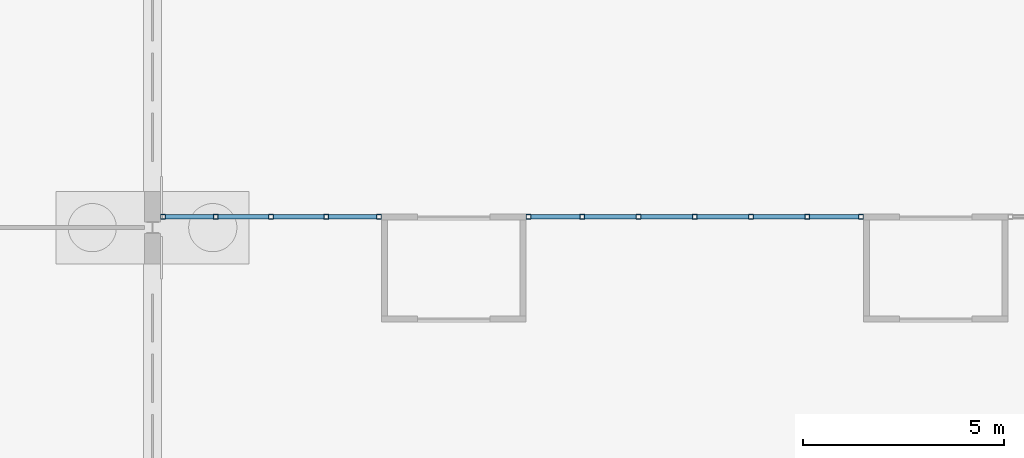
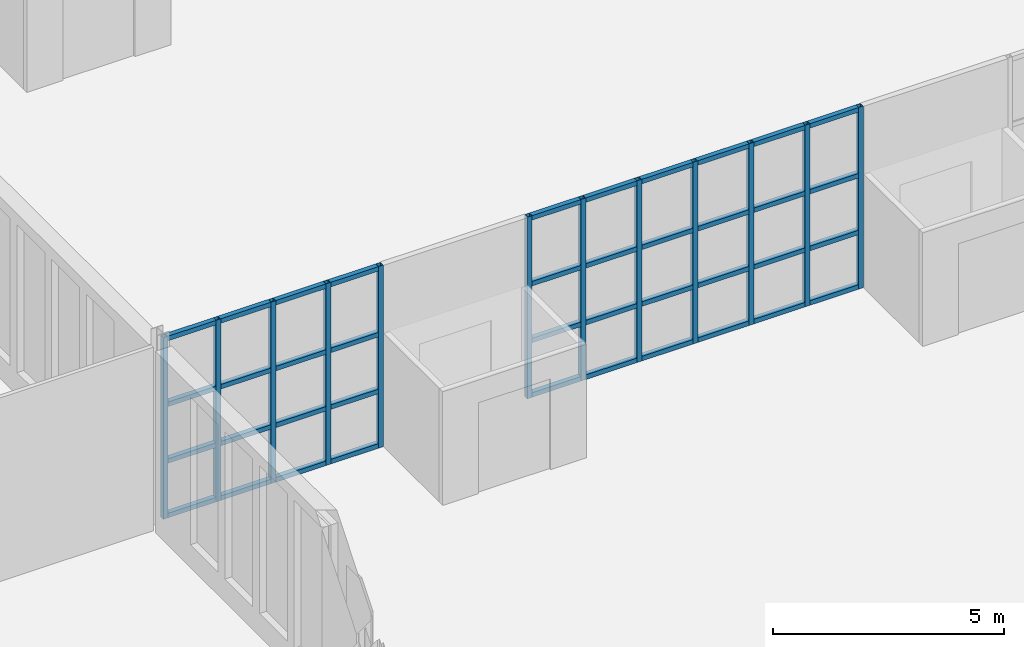
# One storey, part 56 of 168: 52 members, 2 elements without a shape of their own.
"""IFC4 building model written with IfcOpenShell, lengths in metres."""

from ifc_helpers import new_model, si_unit, direction, frame, origin, origin_2d, place, context, subcontext, project, spatial, hollow_rectangle, extrude, material, material_profile, profile_set, type_object, element, aggregate, save


model = new_model("IFC4")

# Units and contexts
model_context = context("Model", 3, precision=1e-05, world=origin(), true_north=direction((0.0, 1.0)))
body_context = subcontext(model_context, "Body", "Model", "MODEL_VIEW")
ifc_project = project(units=[si_unit("LENGTHUNIT", "METRE"), si_unit("AREAUNIT", "SQUARE_METRE"), si_unit("VOLUMEUNIT", "CUBIC_METRE"), si_unit("PLANEANGLEUNIT", "RADIAN"), si_unit("MASSUNIT", "GRAM", prefix="KILO")], contexts=[model_context])

# Site, building, storey
site_placement = place(None, origin())
site = spatial("IfcSite", under=ifc_project, at=site_placement, CompositionType="ELEMENT")
building_placement = place(site_placement, origin())
building = spatial("IfcBuilding", under=site, at=building_placement, Name="Golden Quay Civic Hall", CompositionType="ELEMENT")
storey_placement = place(building_placement, origin())
storey = spatial("IfcBuildingStorey", under=building, at=storey_placement, Name="L00", CompositionType="ELEMENT", Elevation=0.0)

# Curtain wall, members
ifc_material_1 = material(Name="Fire-resisting glass and steel", Category="steel")
curtain_wall_type = type_object("IfcCurtainWallType", Name="Fire-resisting glazed curtain wall EI 120", PredefinedType="NOTDEFINED", material=ifc_material_1)
curtain_wall_1_placement = place(storey_placement, origin())
curtain_wall_1 = element("IfcCurtainWall", 1, at=curtain_wall_1_placement, inside=storey, type_object=curtain_wall_type, Name="CW3 curtain wall", PredefinedType="NOTDEFINED")
ifc_material_2 = material(Name="Steel S355", Category="steel")
ifc_material_profile_1 = material_profile(ifc_material_2, hollow_rectangle(XDim=0.1201171875, YDim=0.1201171875, WallThickness=0.008056640625, at=origin_2d()), Name="SHS 120x120x8")
ifc_profile_set_1 = profile_set([ifc_material_profile_1], Name="Steel S355")
member_type_1 = type_object("IfcMemberType", Name="Fire-resisting steel mullion SHS 120x120x8", PredefinedType="MULLION", material=ifc_profile_set_1)
member_1_placement = place(storey_placement, frame((72.260009765625, 36.27001953125, 0.0), z_axis=(0.0, 0.0, 1.0), x_axis=(0.0, 1.0, 0.0)))
member_1 = element("IfcMember", 2, at=member_1_placement, type_object=member_type_1, Name="CW3 mullion 1", PredefinedType="MULLION", context=body_context, shape_type="SweptSolid", body=[
    extrude(hollow_rectangle(XDim=0.1201171875, YDim=0.1201171875, WallThickness=0.008056640625, at=origin_2d()), origin(), (0.0, 0.0, 1.0), 4.800048828125),
])
member_2_placement = place(storey_placement, frame((73.574951171875, 36.27001953125, 0.0), z_axis=(0.0, 0.0, 1.0), x_axis=(0.0, 1.0, 0.0)))
member_2 = element("IfcMember", 3, at=member_2_placement, type_object=member_type_1, Name="CW3 mullion 2", PredefinedType="MULLION", context=body_context, shape_type="SweptSolid", body=[
    extrude(hollow_rectangle(XDim=0.1201171875, YDim=0.1201171875, WallThickness=0.008056640625, at=origin_2d()), origin(), (0.0, 0.0, 1.0), 4.800048828125),
])
member_3_placement = place(storey_placement, frame((74.949951171875, 36.27001953125, 0.0), z_axis=(0.0, 0.0, 1.0), x_axis=(0.0, 1.0, 0.0)))
member_3 = element("IfcMember", 4, at=member_3_placement, type_object=member_type_1, Name="CW3 mullion 3", PredefinedType="MULLION", context=body_context, shape_type="SweptSolid", body=[
    extrude(hollow_rectangle(XDim=0.1201171875, YDim=0.1201171875, WallThickness=0.008056640625, at=origin_2d()), origin(), (0.0, 0.0, 1.0), 4.800048828125),
])
member_4_placement = place(storey_placement, frame((76.324951171875, 36.27001953125, 0.0), z_axis=(0.0, 0.0, 1.0), x_axis=(0.0, 1.0, 0.0)))
member_4 = element("IfcMember", 5, at=member_4_placement, type_object=member_type_1, Name="CW3 mullion 4", PredefinedType="MULLION", context=body_context, shape_type="SweptSolid", body=[
    extrude(hollow_rectangle(XDim=0.1201171875, YDim=0.1201171875, WallThickness=0.008056640625, at=origin_2d()), origin(), (0.0, 0.0, 1.0), 4.800048828125),
])
member_5_placement = place(storey_placement, frame((77.639892578125, 36.27001953125, 0.0), z_axis=(0.0, 0.0, 1.0), x_axis=(0.0, 1.0, 0.0)))
member_5 = element("IfcMember", 6, at=member_5_placement, type_object=member_type_1, Name="CW3 mullion 5", PredefinedType="MULLION", context=body_context, shape_type="SweptSolid", body=[
    extrude(hollow_rectangle(XDim=0.1201171875, YDim=0.1201171875, WallThickness=0.008056640625, at=origin_2d()), origin(), (0.0, 0.0, 1.0), 4.800048828125),
])

curtain_wall_2_placement = place(storey_placement, origin())
curtain_wall_2 = element("IfcCurtainWall", 7, at=curtain_wall_2_placement, inside=storey, type_object=curtain_wall_type, Name="CW3 curtain wall", PredefinedType="NOTDEFINED")
member_6_placement = place(storey_placement, frame((81.360107421875, 36.27001953125, 0.0), z_axis=(0.0, 0.0, 1.0), x_axis=(0.0, 1.0, 0.0)))
member_6 = element("IfcMember", 8, at=member_6_placement, type_object=member_type_1, Name="CW3 mullion 1", PredefinedType="MULLION", context=body_context, shape_type="SweptSolid", body=[
    extrude(hollow_rectangle(XDim=0.1201171875, YDim=0.1201171875, WallThickness=0.008056640625, at=origin_2d()), origin(), (0.0, 0.0, 1.0), 4.800048828125),
])
member_7_placement = place(storey_placement, frame((82.699951171875, 36.27001953125, 0.0), z_axis=(0.0, 0.0, 1.0), x_axis=(0.0, 1.0, 0.0)))
member_7 = element("IfcMember", 9, at=member_7_placement, type_object=member_type_1, Name="CW3 mullion 2", PredefinedType="MULLION", context=body_context, shape_type="SweptSolid", body=[
    extrude(hollow_rectangle(XDim=0.1201171875, YDim=0.1201171875, WallThickness=0.008056640625, at=origin_2d()), origin(), (0.0, 0.0, 1.0), 4.800048828125),
])
member_8_placement = place(storey_placement, frame((84.10009765625, 36.27001953125, 0.0), z_axis=(0.0, 0.0, 1.0), x_axis=(0.0, 1.0, 0.0)))
member_8 = element("IfcMember", 10, at=member_8_placement, type_object=member_type_1, Name="CW3 mullion 3", PredefinedType="MULLION", context=body_context, shape_type="SweptSolid", body=[
    extrude(hollow_rectangle(XDim=0.1201171875, YDim=0.1201171875, WallThickness=0.008056640625, at=origin_2d()), origin(), (0.0, 0.0, 1.0), 4.800048828125),
])
member_9_placement = place(storey_placement, frame((85.5, 36.27001953125, 0.0), z_axis=(0.0, 0.0, 1.0), x_axis=(0.0, 1.0, 0.0)))
member_9 = element("IfcMember", 11, at=member_9_placement, type_object=member_type_1, Name="CW3 mullion 4", PredefinedType="MULLION", context=body_context, shape_type="SweptSolid", body=[
    extrude(hollow_rectangle(XDim=0.1201171875, YDim=0.1201171875, WallThickness=0.008056640625, at=origin_2d()), origin(), (0.0, 0.0, 1.0), 4.800048828125),
])
member_10_placement = place(storey_placement, frame((86.89990234375, 36.27001953125, 0.0), z_axis=(0.0, 0.0, 1.0), x_axis=(0.0, 1.0, 0.0)))
member_10 = element("IfcMember", 12, at=member_10_placement, type_object=member_type_1, Name="CW3 mullion 5", PredefinedType="MULLION", context=body_context, shape_type="SweptSolid", body=[
    extrude(hollow_rectangle(XDim=0.1201171875, YDim=0.1201171875, WallThickness=0.008056640625, at=origin_2d()), origin(), (0.0, 0.0, 1.0), 4.800048828125),
])
member_11_placement = place(storey_placement, frame((88.300048828125, 36.27001953125, 0.0), z_axis=(0.0, 0.0, 1.0), x_axis=(0.0, 1.0, 0.0)))
member_11 = element("IfcMember", 13, at=member_11_placement, type_object=member_type_1, Name="CW3 mullion 6", PredefinedType="MULLION", context=body_context, shape_type="SweptSolid", body=[
    extrude(hollow_rectangle(XDim=0.1201171875, YDim=0.1201171875, WallThickness=0.008056640625, at=origin_2d()), origin(), (0.0, 0.0, 1.0), 4.800048828125),
])
member_12_placement = place(storey_placement, frame((89.639892578125, 36.27001953125, 0.0), z_axis=(0.0, 0.0, 1.0), x_axis=(0.0, 1.0, 0.0)))
member_12 = element("IfcMember", 14, at=member_12_placement, type_object=member_type_1, Name="CW3 mullion 7", PredefinedType="MULLION", context=body_context, shape_type="SweptSolid", body=[
    extrude(hollow_rectangle(XDim=0.1201171875, YDim=0.1201171875, WallThickness=0.008056640625, at=origin_2d()), origin(), (0.0, 0.0, 1.0), 4.800048828125),
])

# Member
ifc_material_3 = material(Name="Steel S355", Category="steel")
ifc_material_profile_2 = material_profile(ifc_material_3, hollow_rectangle(XDim=0.1201171875, YDim=0.1201171875, WallThickness=0.008056640625, at=origin_2d()), Name="SHS 120x120x8")
ifc_profile_set_2 = profile_set([ifc_material_profile_2], Name="Steel S355")
member_type_2 = type_object("IfcMemberType", Name="Fire-resisting steel transom SHS 120x120x8", PredefinedType="USERDEFINED", material=ifc_profile_set_2)
member_13_placement = place(storey_placement, frame((72.320068359375, 36.27001953125, 0.06005859375), z_axis=(1.0, 0.0, 0.0), x_axis=(0.0, 1.0, 0.0)))
member_13 = element("IfcMember", 15, at=member_13_placement, type_object=member_type_2, Name="CW3 transom 1.1", ObjectType="TRANSOM", PredefinedType="USERDEFINED", context=body_context, shape_type="SweptSolid", body=[
    extrude(hollow_rectangle(XDim=0.1201171875, YDim=0.1201171875, WallThickness=0.008056640625, at=origin_2d()), origin(), (0.0, 0.0, 1.0), 1.19482421875),
])

member_14_placement = place(storey_placement, frame((72.320068359375, 36.27001953125, 1.5), z_axis=(1.0, 0.0, 0.0), x_axis=(0.0, 1.0, 0.0)))
member_14 = element("IfcMember", 16, at=member_14_placement, type_object=member_type_2, Name="CW3 transom 1.2", ObjectType="TRANSOM", PredefinedType="USERDEFINED", context=body_context, shape_type="SweptSolid", body=[
    extrude(hollow_rectangle(XDim=0.1201171875, YDim=0.1201171875, WallThickness=0.008056640625, at=origin_2d()), origin(), (0.0, 0.0, 1.0), 1.19482421875),
])

member_15_placement = place(storey_placement, frame((72.320068359375, 36.27001953125, 3.0), z_axis=(1.0, 0.0, 0.0), x_axis=(0.0, 1.0, 0.0)))
member_15 = element("IfcMember", 17, at=member_15_placement, type_object=member_type_2, Name="CW3 transom 1.3", ObjectType="TRANSOM", PredefinedType="USERDEFINED", context=body_context, shape_type="SweptSolid", body=[
    extrude(hollow_rectangle(XDim=0.1201171875, YDim=0.1201171875, WallThickness=0.008056640625, at=origin_2d()), origin(), (0.0, 0.0, 1.0), 1.19482421875),
])

member_16_placement = place(storey_placement, frame((72.320068359375, 36.27001953125, 4.739990234375), z_axis=(1.0, 0.0, 0.0), x_axis=(0.0, 1.0, 0.0)))
member_16 = element("IfcMember", 18, at=member_16_placement, type_object=member_type_2, Name="CW3 transom 1.4", ObjectType="TRANSOM", PredefinedType="USERDEFINED", context=body_context, shape_type="SweptSolid", body=[
    extrude(hollow_rectangle(XDim=0.1201171875, YDim=0.1201171875, WallThickness=0.008056640625, at=origin_2d()), origin(), (0.0, 0.0, 1.0), 1.19482421875),
])

member_17_placement = place(storey_placement, frame((73.635009765625, 36.27001953125, 0.06005859375), z_axis=(1.0, 0.0, 0.0), x_axis=(0.0, 1.0, 0.0)))
member_17 = element("IfcMember", 19, at=member_17_placement, type_object=member_type_2, Name="CW3 transom 2.1", ObjectType="TRANSOM", PredefinedType="USERDEFINED", context=body_context, shape_type="SweptSolid", body=[
    extrude(hollow_rectangle(XDim=0.1201171875, YDim=0.1201171875, WallThickness=0.008056640625, at=origin_2d()), origin(), (0.0, 0.0, 1.0), 1.2548828125),
])

member_18_placement = place(storey_placement, frame((73.635009765625, 36.27001953125, 1.5), z_axis=(1.0, 0.0, 0.0), x_axis=(0.0, 1.0, 0.0)))
member_18 = element("IfcMember", 20, at=member_18_placement, type_object=member_type_2, Name="CW3 transom 2.2", ObjectType="TRANSOM", PredefinedType="USERDEFINED", context=body_context, shape_type="SweptSolid", body=[
    extrude(hollow_rectangle(XDim=0.1201171875, YDim=0.1201171875, WallThickness=0.008056640625, at=origin_2d()), origin(), (0.0, 0.0, 1.0), 1.2548828125),
])

member_19_placement = place(storey_placement, frame((73.635009765625, 36.27001953125, 3.0), z_axis=(1.0, 0.0, 0.0), x_axis=(0.0, 1.0, 0.0)))
member_19 = element("IfcMember", 21, at=member_19_placement, type_object=member_type_2, Name="CW3 transom 2.3", ObjectType="TRANSOM", PredefinedType="USERDEFINED", context=body_context, shape_type="SweptSolid", body=[
    extrude(hollow_rectangle(XDim=0.1201171875, YDim=0.1201171875, WallThickness=0.008056640625, at=origin_2d()), origin(), (0.0, 0.0, 1.0), 1.2548828125),
])

member_20_placement = place(storey_placement, frame((73.635009765625, 36.27001953125, 4.739990234375), z_axis=(1.0, 0.0, 0.0), x_axis=(0.0, 1.0, 0.0)))
member_20 = element("IfcMember", 22, at=member_20_placement, type_object=member_type_2, Name="CW3 transom 2.4", ObjectType="TRANSOM", PredefinedType="USERDEFINED", context=body_context, shape_type="SweptSolid", body=[
    extrude(hollow_rectangle(XDim=0.1201171875, YDim=0.1201171875, WallThickness=0.008056640625, at=origin_2d()), origin(), (0.0, 0.0, 1.0), 1.2548828125),
])

member_21_placement = place(storey_placement, frame((75.010009765625, 36.27001953125, 0.06005859375), z_axis=(1.0, 0.0, 0.0), x_axis=(0.0, 1.0, 0.0)))
member_21 = element("IfcMember", 23, at=member_21_placement, type_object=member_type_2, Name="CW3 transom 3.1", ObjectType="TRANSOM", PredefinedType="USERDEFINED", context=body_context, shape_type="SweptSolid", body=[
    extrude(hollow_rectangle(XDim=0.1201171875, YDim=0.1201171875, WallThickness=0.008056640625, at=origin_2d()), origin(), (0.0, 0.0, 1.0), 1.2548828125),
])

member_22_placement = place(storey_placement, frame((75.010009765625, 36.27001953125, 1.5), z_axis=(1.0, 0.0, 0.0), x_axis=(0.0, 1.0, 0.0)))
member_22 = element("IfcMember", 24, at=member_22_placement, type_object=member_type_2, Name="CW3 transom 3.2", ObjectType="TRANSOM", PredefinedType="USERDEFINED", context=body_context, shape_type="SweptSolid", body=[
    extrude(hollow_rectangle(XDim=0.1201171875, YDim=0.1201171875, WallThickness=0.008056640625, at=origin_2d()), origin(), (0.0, 0.0, 1.0), 1.2548828125),
])

member_23_placement = place(storey_placement, frame((75.010009765625, 36.27001953125, 3.0), z_axis=(1.0, 0.0, 0.0), x_axis=(0.0, 1.0, 0.0)))
member_23 = element("IfcMember", 25, at=member_23_placement, type_object=member_type_2, Name="CW3 transom 3.3", ObjectType="TRANSOM", PredefinedType="USERDEFINED", context=body_context, shape_type="SweptSolid", body=[
    extrude(hollow_rectangle(XDim=0.1201171875, YDim=0.1201171875, WallThickness=0.008056640625, at=origin_2d()), origin(), (0.0, 0.0, 1.0), 1.2548828125),
])

member_24_placement = place(storey_placement, frame((75.010009765625, 36.27001953125, 4.739990234375), z_axis=(1.0, 0.0, 0.0), x_axis=(0.0, 1.0, 0.0)))
member_24 = element("IfcMember", 26, at=member_24_placement, type_object=member_type_2, Name="CW3 transom 3.4", ObjectType="TRANSOM", PredefinedType="USERDEFINED", context=body_context, shape_type="SweptSolid", body=[
    extrude(hollow_rectangle(XDim=0.1201171875, YDim=0.1201171875, WallThickness=0.008056640625, at=origin_2d()), origin(), (0.0, 0.0, 1.0), 1.2548828125),
])

member_25_placement = place(storey_placement, frame((76.385009765625, 36.27001953125, 0.06005859375), z_axis=(1.0, 0.0, 0.0), x_axis=(0.0, 1.0, 0.0)))
member_25 = element("IfcMember", 27, at=member_25_placement, type_object=member_type_2, Name="CW3 transom 4.1", ObjectType="TRANSOM", PredefinedType="USERDEFINED", context=body_context, shape_type="SweptSolid", body=[
    extrude(hollow_rectangle(XDim=0.1201171875, YDim=0.1201171875, WallThickness=0.008056640625, at=origin_2d()), origin(), (0.0, 0.0, 1.0), 1.195068359375),
])

member_26_placement = place(storey_placement, frame((76.385009765625, 36.27001953125, 1.5), z_axis=(1.0, 0.0, 0.0), x_axis=(0.0, 1.0, 0.0)))
member_26 = element("IfcMember", 28, at=member_26_placement, type_object=member_type_2, Name="CW3 transom 4.2", ObjectType="TRANSOM", PredefinedType="USERDEFINED", context=body_context, shape_type="SweptSolid", body=[
    extrude(hollow_rectangle(XDim=0.1201171875, YDim=0.1201171875, WallThickness=0.008056640625, at=origin_2d()), origin(), (0.0, 0.0, 1.0), 1.195068359375),
])

member_27_placement = place(storey_placement, frame((76.385009765625, 36.27001953125, 3.0), z_axis=(1.0, 0.0, 0.0), x_axis=(0.0, 1.0, 0.0)))
member_27 = element("IfcMember", 29, at=member_27_placement, type_object=member_type_2, Name="CW3 transom 4.3", ObjectType="TRANSOM", PredefinedType="USERDEFINED", context=body_context, shape_type="SweptSolid", body=[
    extrude(hollow_rectangle(XDim=0.1201171875, YDim=0.1201171875, WallThickness=0.008056640625, at=origin_2d()), origin(), (0.0, 0.0, 1.0), 1.195068359375),
])

member_28_placement = place(storey_placement, frame((76.385009765625, 36.27001953125, 4.739990234375), z_axis=(1.0, 0.0, 0.0), x_axis=(0.0, 1.0, 0.0)))
member_28 = element("IfcMember", 30, at=member_28_placement, type_object=member_type_2, Name="CW3 transom 4.4", ObjectType="TRANSOM", PredefinedType="USERDEFINED", context=body_context, shape_type="SweptSolid", body=[
    extrude(hollow_rectangle(XDim=0.1201171875, YDim=0.1201171875, WallThickness=0.008056640625, at=origin_2d()), origin(), (0.0, 0.0, 1.0), 1.195068359375),
])

aggregate(curtain_wall_1, [member_1, member_2, member_3, member_4, member_5, member_13, member_14, member_15, member_16, member_17, member_18, member_19, member_20, member_21, member_22, member_23, member_24, member_25, member_26, member_27, member_28])

member_29_placement = place(storey_placement, frame((81.419921875, 36.27001953125, 0.06005859375), z_axis=(1.0, 0.0, 0.0), x_axis=(0.0, 1.0, 0.0)))
member_29 = element("IfcMember", 31, at=member_29_placement, type_object=member_type_2, Name="CW3 transom 1.1", ObjectType="TRANSOM", PredefinedType="USERDEFINED", context=body_context, shape_type="SweptSolid", body=[
    extrude(hollow_rectangle(XDim=0.1201171875, YDim=0.1201171875, WallThickness=0.008056640625, at=origin_2d()), origin(), (0.0, 0.0, 1.0), 1.219970703125),
])

member_30_placement = place(storey_placement, frame((81.419921875, 36.27001953125, 1.5), z_axis=(1.0, 0.0, 0.0), x_axis=(0.0, 1.0, 0.0)))
member_30 = element("IfcMember", 32, at=member_30_placement, type_object=member_type_2, Name="CW3 transom 1.2", ObjectType="TRANSOM", PredefinedType="USERDEFINED", context=body_context, shape_type="SweptSolid", body=[
    extrude(hollow_rectangle(XDim=0.1201171875, YDim=0.1201171875, WallThickness=0.008056640625, at=origin_2d()), origin(), (0.0, 0.0, 1.0), 1.219970703125),
])

member_31_placement = place(storey_placement, frame((81.419921875, 36.27001953125, 3.0), z_axis=(1.0, 0.0, 0.0), x_axis=(0.0, 1.0, 0.0)))
member_31 = element("IfcMember", 33, at=member_31_placement, type_object=member_type_2, Name="CW3 transom 1.3", ObjectType="TRANSOM", PredefinedType="USERDEFINED", context=body_context, shape_type="SweptSolid", body=[
    extrude(hollow_rectangle(XDim=0.1201171875, YDim=0.1201171875, WallThickness=0.008056640625, at=origin_2d()), origin(), (0.0, 0.0, 1.0), 1.219970703125),
])

member_32_placement = place(storey_placement, frame((81.419921875, 36.27001953125, 4.739990234375), z_axis=(1.0, 0.0, 0.0), x_axis=(0.0, 1.0, 0.0)))
member_32 = element("IfcMember", 34, at=member_32_placement, type_object=member_type_2, Name="CW3 transom 1.4", ObjectType="TRANSOM", PredefinedType="USERDEFINED", context=body_context, shape_type="SweptSolid", body=[
    extrude(hollow_rectangle(XDim=0.1201171875, YDim=0.1201171875, WallThickness=0.008056640625, at=origin_2d()), origin(), (0.0, 0.0, 1.0), 1.219970703125),
])

member_33_placement = place(storey_placement, frame((82.760009765625, 36.27001953125, 0.06005859375), z_axis=(1.0, 0.0, 0.0), x_axis=(0.0, 1.0, 0.0)))
member_33 = element("IfcMember", 35, at=member_33_placement, type_object=member_type_2, Name="CW3 transom 2.1", ObjectType="TRANSOM", PredefinedType="USERDEFINED", context=body_context, shape_type="SweptSolid", body=[
    extrude(hollow_rectangle(XDim=0.1201171875, YDim=0.1201171875, WallThickness=0.008056640625, at=origin_2d()), origin(), (0.0, 0.0, 1.0), 1.280029296875),
])

member_34_placement = place(storey_placement, frame((82.760009765625, 36.27001953125, 1.5), z_axis=(1.0, 0.0, 0.0), x_axis=(0.0, 1.0, 0.0)))
member_34 = element("IfcMember", 36, at=member_34_placement, type_object=member_type_2, Name="CW3 transom 2.2", ObjectType="TRANSOM", PredefinedType="USERDEFINED", context=body_context, shape_type="SweptSolid", body=[
    extrude(hollow_rectangle(XDim=0.1201171875, YDim=0.1201171875, WallThickness=0.008056640625, at=origin_2d()), origin(), (0.0, 0.0, 1.0), 1.280029296875),
])

member_35_placement = place(storey_placement, frame((82.760009765625, 36.27001953125, 3.0), z_axis=(1.0, 0.0, 0.0), x_axis=(0.0, 1.0, 0.0)))
member_35 = element("IfcMember", 37, at=member_35_placement, type_object=member_type_2, Name="CW3 transom 2.3", ObjectType="TRANSOM", PredefinedType="USERDEFINED", context=body_context, shape_type="SweptSolid", body=[
    extrude(hollow_rectangle(XDim=0.1201171875, YDim=0.1201171875, WallThickness=0.008056640625, at=origin_2d()), origin(), (0.0, 0.0, 1.0), 1.280029296875),
])

member_36_placement = place(storey_placement, frame((82.760009765625, 36.27001953125, 4.739990234375), z_axis=(1.0, 0.0, 0.0), x_axis=(0.0, 1.0, 0.0)))
member_36 = element("IfcMember", 38, at=member_36_placement, type_object=member_type_2, Name="CW3 transom 2.4", ObjectType="TRANSOM", PredefinedType="USERDEFINED", context=body_context, shape_type="SweptSolid", body=[
    extrude(hollow_rectangle(XDim=0.1201171875, YDim=0.1201171875, WallThickness=0.008056640625, at=origin_2d()), origin(), (0.0, 0.0, 1.0), 1.280029296875),
])

member_37_placement = place(storey_placement, frame((84.159912109375, 36.27001953125, 0.06005859375), z_axis=(1.0, 0.0, 0.0), x_axis=(0.0, 1.0, 0.0)))
member_37 = element("IfcMember", 39, at=member_37_placement, type_object=member_type_2, Name="CW3 transom 3.1", ObjectType="TRANSOM", PredefinedType="USERDEFINED", context=body_context, shape_type="SweptSolid", body=[
    extrude(hollow_rectangle(XDim=0.1201171875, YDim=0.1201171875, WallThickness=0.008056640625, at=origin_2d()), origin(), (0.0, 0.0, 1.0), 1.280029296875),
])

member_38_placement = place(storey_placement, frame((84.159912109375, 36.27001953125, 1.5), z_axis=(1.0, 0.0, 0.0), x_axis=(0.0, 1.0, 0.0)))
member_38 = element("IfcMember", 40, at=member_38_placement, type_object=member_type_2, Name="CW3 transom 3.2", ObjectType="TRANSOM", PredefinedType="USERDEFINED", context=body_context, shape_type="SweptSolid", body=[
    extrude(hollow_rectangle(XDim=0.1201171875, YDim=0.1201171875, WallThickness=0.008056640625, at=origin_2d()), origin(), (0.0, 0.0, 1.0), 1.280029296875),
])

member_39_placement = place(storey_placement, frame((84.159912109375, 36.27001953125, 3.0), z_axis=(1.0, 0.0, 0.0), x_axis=(0.0, 1.0, 0.0)))
member_39 = element("IfcMember", 41, at=member_39_placement, type_object=member_type_2, Name="CW3 transom 3.3", ObjectType="TRANSOM", PredefinedType="USERDEFINED", context=body_context, shape_type="SweptSolid", body=[
    extrude(hollow_rectangle(XDim=0.1201171875, YDim=0.1201171875, WallThickness=0.008056640625, at=origin_2d()), origin(), (0.0, 0.0, 1.0), 1.280029296875),
])

member_40_placement = place(storey_placement, frame((84.159912109375, 36.27001953125, 4.739990234375), z_axis=(1.0, 0.0, 0.0), x_axis=(0.0, 1.0, 0.0)))
member_40 = element("IfcMember", 42, at=member_40_placement, type_object=member_type_2, Name="CW3 transom 3.4", ObjectType="TRANSOM", PredefinedType="USERDEFINED", context=body_context, shape_type="SweptSolid", body=[
    extrude(hollow_rectangle(XDim=0.1201171875, YDim=0.1201171875, WallThickness=0.008056640625, at=origin_2d()), origin(), (0.0, 0.0, 1.0), 1.280029296875),
])

member_41_placement = place(storey_placement, frame((85.56005859375, 36.27001953125, 0.06005859375), z_axis=(1.0, 0.0, 0.0), x_axis=(0.0, 1.0, 0.0)))
member_41 = element("IfcMember", 43, at=member_41_placement, type_object=member_type_2, Name="CW3 transom 4.1", ObjectType="TRANSOM", PredefinedType="USERDEFINED", context=body_context, shape_type="SweptSolid", body=[
    extrude(hollow_rectangle(XDim=0.1201171875, YDim=0.1201171875, WallThickness=0.008056640625, at=origin_2d()), origin(), (0.0, 0.0, 1.0), 1.280029296875),
])

member_42_placement = place(storey_placement, frame((85.56005859375, 36.27001953125, 1.5), z_axis=(1.0, 0.0, 0.0), x_axis=(0.0, 1.0, 0.0)))
member_42 = element("IfcMember", 44, at=member_42_placement, type_object=member_type_2, Name="CW3 transom 4.2", ObjectType="TRANSOM", PredefinedType="USERDEFINED", context=body_context, shape_type="SweptSolid", body=[
    extrude(hollow_rectangle(XDim=0.1201171875, YDim=0.1201171875, WallThickness=0.008056640625, at=origin_2d()), origin(), (0.0, 0.0, 1.0), 1.280029296875),
])

member_43_placement = place(storey_placement, frame((85.56005859375, 36.27001953125, 3.0), z_axis=(1.0, 0.0, 0.0), x_axis=(0.0, 1.0, 0.0)))
member_43 = element("IfcMember", 45, at=member_43_placement, type_object=member_type_2, Name="CW3 transom 4.3", ObjectType="TRANSOM", PredefinedType="USERDEFINED", context=body_context, shape_type="SweptSolid", body=[
    extrude(hollow_rectangle(XDim=0.1201171875, YDim=0.1201171875, WallThickness=0.008056640625, at=origin_2d()), origin(), (0.0, 0.0, 1.0), 1.280029296875),
])

member_44_placement = place(storey_placement, frame((85.56005859375, 36.27001953125, 4.739990234375), z_axis=(1.0, 0.0, 0.0), x_axis=(0.0, 1.0, 0.0)))
member_44 = element("IfcMember", 46, at=member_44_placement, type_object=member_type_2, Name="CW3 transom 4.4", ObjectType="TRANSOM", PredefinedType="USERDEFINED", context=body_context, shape_type="SweptSolid", body=[
    extrude(hollow_rectangle(XDim=0.1201171875, YDim=0.1201171875, WallThickness=0.008056640625, at=origin_2d()), origin(), (0.0, 0.0, 1.0), 1.280029296875),
])

member_45_placement = place(storey_placement, frame((86.9599609375, 36.27001953125, 0.06005859375), z_axis=(1.0, 0.0, 0.0), x_axis=(0.0, 1.0, 0.0)))
member_45 = element("IfcMember", 47, at=member_45_placement, type_object=member_type_2, Name="CW3 transom 5.1", ObjectType="TRANSOM", PredefinedType="USERDEFINED", context=body_context, shape_type="SweptSolid", body=[
    extrude(hollow_rectangle(XDim=0.1201171875, YDim=0.1201171875, WallThickness=0.008056640625, at=origin_2d()), origin(), (0.0, 0.0, 1.0), 1.280029296875),
])

member_46_placement = place(storey_placement, frame((86.9599609375, 36.27001953125, 1.5), z_axis=(1.0, 0.0, 0.0), x_axis=(0.0, 1.0, 0.0)))
member_46 = element("IfcMember", 48, at=member_46_placement, type_object=member_type_2, Name="CW3 transom 5.2", ObjectType="TRANSOM", PredefinedType="USERDEFINED", context=body_context, shape_type="SweptSolid", body=[
    extrude(hollow_rectangle(XDim=0.1201171875, YDim=0.1201171875, WallThickness=0.008056640625, at=origin_2d()), origin(), (0.0, 0.0, 1.0), 1.280029296875),
])

member_47_placement = place(storey_placement, frame((86.9599609375, 36.27001953125, 3.0), z_axis=(1.0, 0.0, 0.0), x_axis=(0.0, 1.0, 0.0)))
member_47 = element("IfcMember", 49, at=member_47_placement, type_object=member_type_2, Name="CW3 transom 5.3", ObjectType="TRANSOM", PredefinedType="USERDEFINED", context=body_context, shape_type="SweptSolid", body=[
    extrude(hollow_rectangle(XDim=0.1201171875, YDim=0.1201171875, WallThickness=0.008056640625, at=origin_2d()), origin(), (0.0, 0.0, 1.0), 1.280029296875),
])

member_48_placement = place(storey_placement, frame((86.9599609375, 36.27001953125, 4.739990234375), z_axis=(1.0, 0.0, 0.0), x_axis=(0.0, 1.0, 0.0)))
member_48 = element("IfcMember", 50, at=member_48_placement, type_object=member_type_2, Name="CW3 transom 5.4", ObjectType="TRANSOM", PredefinedType="USERDEFINED", context=body_context, shape_type="SweptSolid", body=[
    extrude(hollow_rectangle(XDim=0.1201171875, YDim=0.1201171875, WallThickness=0.008056640625, at=origin_2d()), origin(), (0.0, 0.0, 1.0), 1.280029296875),
])

member_49_placement = place(storey_placement, frame((88.360107421875, 36.27001953125, 0.06005859375), z_axis=(1.0, 0.0, 0.0), x_axis=(0.0, 1.0, 0.0)))
member_49 = element("IfcMember", 51, at=member_49_placement, type_object=member_type_2, Name="CW3 transom 6.1", ObjectType="TRANSOM", PredefinedType="USERDEFINED", context=body_context, shape_type="SweptSolid", body=[
    extrude(hollow_rectangle(XDim=0.1201171875, YDim=0.1201171875, WallThickness=0.008056640625, at=origin_2d()), origin(), (0.0, 0.0, 1.0), 1.219970703125),
])

member_50_placement = place(storey_placement, frame((88.360107421875, 36.27001953125, 1.5), z_axis=(1.0, 0.0, 0.0), x_axis=(0.0, 1.0, 0.0)))
member_50 = element("IfcMember", 52, at=member_50_placement, type_object=member_type_2, Name="CW3 transom 6.2", ObjectType="TRANSOM", PredefinedType="USERDEFINED", context=body_context, shape_type="SweptSolid", body=[
    extrude(hollow_rectangle(XDim=0.1201171875, YDim=0.1201171875, WallThickness=0.008056640625, at=origin_2d()), origin(), (0.0, 0.0, 1.0), 1.219970703125),
])

member_51_placement = place(storey_placement, frame((88.360107421875, 36.27001953125, 3.0), z_axis=(1.0, 0.0, 0.0), x_axis=(0.0, 1.0, 0.0)))
member_51 = element("IfcMember", 53, at=member_51_placement, type_object=member_type_2, Name="CW3 transom 6.3", ObjectType="TRANSOM", PredefinedType="USERDEFINED", context=body_context, shape_type="SweptSolid", body=[
    extrude(hollow_rectangle(XDim=0.1201171875, YDim=0.1201171875, WallThickness=0.008056640625, at=origin_2d()), origin(), (0.0, 0.0, 1.0), 1.219970703125),
])

member_52_placement = place(storey_placement, frame((88.360107421875, 36.27001953125, 4.739990234375), z_axis=(1.0, 0.0, 0.0), x_axis=(0.0, 1.0, 0.0)))
member_52 = element("IfcMember", 54, at=member_52_placement, type_object=member_type_2, Name="CW3 transom 6.4", ObjectType="TRANSOM", PredefinedType="USERDEFINED", context=body_context, shape_type="SweptSolid", body=[
    extrude(hollow_rectangle(XDim=0.1201171875, YDim=0.1201171875, WallThickness=0.008056640625, at=origin_2d()), origin(), (0.0, 0.0, 1.0), 1.219970703125),
])

aggregate(curtain_wall_2, [member_6, member_7, member_8, member_9, member_10, member_11, member_12, member_29, member_30, member_31, member_32, member_33, member_34, member_35, member_36, member_37, member_38, member_39, member_40, member_41, member_42, member_43, member_44, member_45, member_46, member_47, member_48, member_49, member_50, member_51, member_52])

save(model, "model.ifc")
